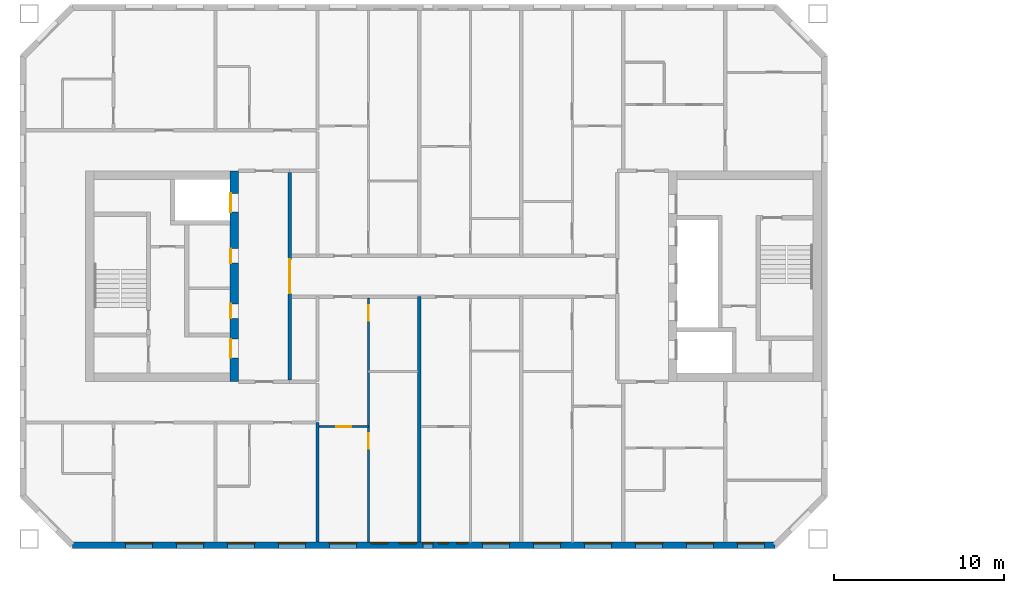
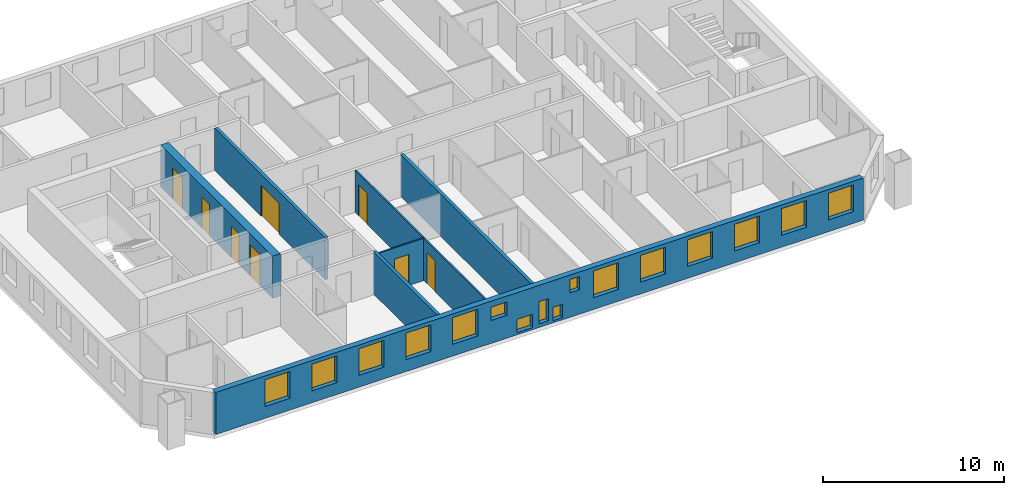
# One storey, part 3 of 15: 16 windows, 8 doors, 7 walls, 24 openings.
"""IFC4 building model written with IfcOpenShell, lengths in metres."""

from ifc_helpers import new_model, si_unit, direction, frame, frame_2d, origin, place, context, subcontext, project, spatial, rectangle, extrude, material, layer, layer_set, type_object, element, fill, save


model = new_model("IFC4")

# Units and contexts
model_context = context("Model", 3, precision=1e-05, world=origin(), true_north=direction((0.0, 1.0)))
body_context = subcontext(model_context, "Body", "Model", "MODEL_VIEW")
ifc_project = project(units=[si_unit("LENGTHUNIT", "METRE"), si_unit("AREAUNIT", "SQUARE_METRE"), si_unit("VOLUMEUNIT", "CUBIC_METRE"), si_unit("PLANEANGLEUNIT", "RADIAN"), si_unit("MASSUNIT", "GRAM", prefix="KILO")], contexts=[model_context])

# Site, building, storey
site_placement = place(None, origin())
site = spatial("IfcSite", under=ifc_project, at=site_placement, CompositionType="ELEMENT")
building_placement = place(site_placement, origin())
building = spatial("IfcBuilding", under=site, at=building_placement, Name="Tuart Gate Housing", CompositionType="ELEMENT")
storey_placement = place(building_placement, frame((0.0, 0.0, 164.0)))
storey = spatial("IfcBuildingStorey", under=building, at=storey_placement, Name="L46", CompositionType="ELEMENT", Elevation=164.0)

# Wall, openings, windows
ifc_material_1 = material(Name="Brick", Category="masonry")
ifc_layer_1 = layer(ifc_material_1, 0.360107421875)
ifc_layer_set_1 = layer_set([ifc_layer_1], Name="Brick pier and spandrel wall 360")
wall_type_1 = type_object("IfcWallType", Name="Brick pier and spandrel wall 360", PredefinedType="STANDARD", material=ifc_layer_set_1)
wall_1_placement = place(storey_placement, frame((31.57470703125, 54.179931640625, 0.0), z_axis=(0.0, 0.0, 1.0), x_axis=(1.0, 0.0, 0.0)))
wall_1 = element("IfcWall", 1, at=wall_1_placement, inside=storey, type_object=wall_type_1, Name="External wall A-S L46", PredefinedType="STANDARD", context=body_context, shape_type="SweptSolid", body=[
    extrude(rectangle(XDim=41.350830078125, YDim=0.360107421875, at=frame_2d((20.67529296875, 0.0))), origin(), (0.0, 0.0, 1.0), 2.85009765625),
])
opening_1_placement = place(wall_1_placement, frame((3.12548828125, 0.0, 0.800048828125)))
opening_1 = element("IfcOpeningElement", 2, at=opening_1_placement, cuts=wall_1, Name="Opening W1", PredefinedType="OPENING", context=body_context, shape_type="SweptSolid", body=[
    extrude(rectangle(XDim=1.60009765625, YDim=1.800048828125, at=frame_2d((0.800048828125, 0.89990234375))), frame((0.0, 0.18994140625, 0.0), z_axis=(0.0, -1.0, 0.0), x_axis=(1.0, 0.0, 0.0)), (0.0, 0.0, 1.0), 0.380126953125),
])
opening_2_placement = place(wall_1_placement, frame((6.12548828125, 0.0, 0.800048828125)))
opening_2 = element("IfcOpeningElement", 3, at=opening_2_placement, cuts=wall_1, Name="Opening W1", PredefinedType="OPENING", context=body_context, shape_type="SweptSolid", body=[
    extrude(rectangle(XDim=1.60009765625, YDim=1.800048828125, at=frame_2d((0.800048828125, 0.89990234375))), frame((0.0, 0.18994140625, 0.0), z_axis=(0.0, -1.0, 0.0), x_axis=(1.0, 0.0, 0.0)), (0.0, 0.0, 1.0), 0.380126953125),
])
opening_3_placement = place(wall_1_placement, frame((9.12548828125, 0.0, 0.800048828125)))
opening_3 = element("IfcOpeningElement", 4, at=opening_3_placement, cuts=wall_1, Name="Opening W1", PredefinedType="OPENING", context=body_context, shape_type="SweptSolid", body=[
    extrude(rectangle(XDim=1.60009765625, YDim=1.800048828125, at=frame_2d((0.800048828125, 0.89990234375))), frame((0.0, 0.18994140625, 0.0), z_axis=(0.0, -1.0, 0.0), x_axis=(1.0, 0.0, 0.0)), (0.0, 0.0, 1.0), 0.380126953125),
])
opening_4_placement = place(wall_1_placement, frame((12.12548828125, 0.0, 0.800048828125)))
opening_4 = element("IfcOpeningElement", 5, at=opening_4_placement, cuts=wall_1, Name="Opening W1", PredefinedType="OPENING", context=body_context, shape_type="SweptSolid", body=[
    extrude(rectangle(XDim=1.60009765625, YDim=1.800048828125, at=frame_2d((0.800048828125, 0.89990234375))), frame((0.0, 0.18994140625, 0.0), z_axis=(0.0, -1.0, 0.0), x_axis=(1.0, 0.0, 0.0)), (0.0, 0.0, 1.0), 0.380126953125),
])
opening_5_placement = place(wall_1_placement, frame((15.12548828125, 0.0, 0.800048828125)))
opening_5 = element("IfcOpeningElement", 6, at=opening_5_placement, cuts=wall_1, Name="Opening W1", PredefinedType="OPENING", context=body_context, shape_type="SweptSolid", body=[
    extrude(rectangle(XDim=1.60009765625, YDim=1.800048828125, at=frame_2d((0.800048828125, 0.89990234375))), frame((0.0, 0.18994140625, 0.0), z_axis=(0.0, -1.0, 0.0), x_axis=(1.0, 0.0, 0.0)), (0.0, 0.0, 1.0), 0.380126953125),
])
opening_6_placement = place(wall_1_placement, frame((17.575439453125, 0.0, 1.550048828125)))
opening_6 = element("IfcOpeningElement", 7, at=opening_6_placement, cuts=wall_1, Name="Opening W1U", PredefinedType="OPENING", context=body_context, shape_type="SweptSolid", body=[
    extrude(rectangle(XDim=1.0, YDim=0.89990234375, at=frame_2d((0.5, 0.449951171875))), frame((0.0, 0.18994140625, 0.0), z_axis=(0.0, -1.0, 0.0), x_axis=(1.0, 0.0, 0.0)), (0.0, 0.0, 1.0), 0.380126953125),
])
opening_7_placement = place(wall_1_placement, frame((20.62548828125, 0.0, 0.25)))
opening_7 = element("IfcOpeningElement", 8, at=opening_7_placement, cuts=wall_1, Name="Opening W1K", PredefinedType="OPENING", context=body_context, shape_type="SweptSolid", body=[
    extrude(rectangle(XDim=0.60009765625, YDim=1.5, at=frame_2d((0.300048828125, 0.75))), frame((0.0, 0.18994140625, 0.0), z_axis=(0.0, -1.0, 0.0), x_axis=(1.0, 0.0, 0.0)), (0.0, 0.0, 1.0), 0.380126953125),
])
opening_8_placement = place(wall_1_placement, frame((24.12548828125, 0.0, 0.800048828125)))
opening_8 = element("IfcOpeningElement", 9, at=opening_8_placement, cuts=wall_1, Name="Opening W1", PredefinedType="OPENING", context=body_context, shape_type="SweptSolid", body=[
    extrude(rectangle(XDim=1.60009765625, YDim=1.800048828125, at=frame_2d((0.800048828125, 0.89990234375))), frame((0.0, 0.18994140625, 0.0), z_axis=(0.0, -1.0, 0.0), x_axis=(1.0, 0.0, 0.0)), (0.0, 0.0, 1.0), 0.380126953125),
])
opening_9_placement = place(wall_1_placement, frame((27.12548828125, 0.0, 0.800048828125)))
opening_9 = element("IfcOpeningElement", 10, at=opening_9_placement, cuts=wall_1, Name="Opening W1", PredefinedType="OPENING", context=body_context, shape_type="SweptSolid", body=[
    extrude(rectangle(XDim=1.60009765625, YDim=1.800048828125, at=frame_2d((0.800048828125, 0.89990234375))), frame((0.0, 0.18994140625, 0.0), z_axis=(0.0, -1.0, 0.0), x_axis=(1.0, 0.0, 0.0)), (0.0, 0.0, 1.0), 0.380126953125),
])
opening_10_placement = place(wall_1_placement, frame((30.12548828125, 0.0, 0.800048828125)))
opening_10 = element("IfcOpeningElement", 11, at=opening_10_placement, cuts=wall_1, Name="Opening W1", PredefinedType="OPENING", context=body_context, shape_type="SweptSolid", body=[
    extrude(rectangle(XDim=1.60009765625, YDim=1.800048828125, at=frame_2d((0.800048828125, 0.89990234375))), frame((0.0, 0.18994140625, 0.0), z_axis=(0.0, -1.0, 0.0), x_axis=(1.0, 0.0, 0.0)), (0.0, 0.0, 1.0), 0.380126953125),
])
opening_11_placement = place(wall_1_placement, frame((33.12548828125, 0.0, 0.800048828125)))
opening_11 = element("IfcOpeningElement", 12, at=opening_11_placement, cuts=wall_1, Name="Opening W1", PredefinedType="OPENING", context=body_context, shape_type="SweptSolid", body=[
    extrude(rectangle(XDim=1.60009765625, YDim=1.800048828125, at=frame_2d((0.800048828125, 0.89990234375))), frame((0.0, 0.18994140625, 0.0), z_axis=(0.0, -1.0, 0.0), x_axis=(1.0, 0.0, 0.0)), (0.0, 0.0, 1.0), 0.380126953125),
])
opening_12_placement = place(wall_1_placement, frame((36.12548828125, 0.0, 0.800048828125)))
opening_12 = element("IfcOpeningElement", 13, at=opening_12_placement, cuts=wall_1, Name="Opening W1", PredefinedType="OPENING", context=body_context, shape_type="SweptSolid", body=[
    extrude(rectangle(XDim=1.60009765625, YDim=1.800048828125, at=frame_2d((0.800048828125, 0.89990234375))), frame((0.0, 0.18994140625, 0.0), z_axis=(0.0, -1.0, 0.0), x_axis=(1.0, 0.0, 0.0)), (0.0, 0.0, 1.0), 0.380126953125),
])
opening_13_placement = place(wall_1_placement, frame((39.12548828125, 0.0, 0.800048828125)))
opening_13 = element("IfcOpeningElement", 14, at=opening_13_placement, cuts=wall_1, Name="Opening W1", PredefinedType="OPENING", context=body_context, shape_type="SweptSolid", body=[
    extrude(rectangle(XDim=1.60009765625, YDim=1.800048828125, at=frame_2d((0.800048828125, 0.89990234375))), frame((0.0, 0.18994140625, 0.0), z_axis=(0.0, -1.0, 0.0), x_axis=(1.0, 0.0, 0.0)), (0.0, 0.0, 1.0), 0.380126953125),
])
opening_14_placement = place(wall_1_placement, frame((19.225341796875, 0.0, 0.14990234375)))
opening_14 = element("IfcOpeningElement", 15, at=opening_14_placement, cuts=wall_1, Name="Opening W1U", PredefinedType="OPENING", context=body_context, shape_type="SweptSolid", body=[
    extrude(rectangle(XDim=1.0, YDim=0.89990234375, at=frame_2d((0.5, 0.449951171875))), frame((0.0, 0.18994140625, 0.0), z_axis=(0.0, -1.0, 0.0), x_axis=(1.0, 0.0, 0.0)), (0.0, 0.0, 1.0), 0.380126953125),
])
opening_15_placement = place(wall_1_placement, frame((21.525390625, 0.0, 0.14990234375)))
opening_15 = element("IfcOpeningElement", 16, at=opening_15_placement, cuts=wall_1, Name="Opening W1W", PredefinedType="OPENING", context=body_context, shape_type="SweptSolid", body=[
    extrude(rectangle(XDim=0.60009765625, YDim=0.89990234375, at=frame_2d((0.300048828125, 0.449951171875))), frame((0.0, 0.18994140625, 0.0), z_axis=(0.0, -1.0, 0.0), x_axis=(1.0, 0.0, 0.0)), (0.0, 0.0, 1.0), 0.380126953125),
])
opening_16_placement = place(wall_1_placement, frame((22.62548828125, 0.0, 1.64990234375)))
opening_16 = element("IfcOpeningElement", 17, at=opening_16_placement, cuts=wall_1, Name="Opening W1W", PredefinedType="OPENING", context=body_context, shape_type="SweptSolid", body=[
    extrude(rectangle(XDim=0.60009765625, YDim=0.89990234375, at=frame_2d((0.300048828125, 0.449951171875))), frame((0.0, 0.18994140625, 0.0), z_axis=(0.0, -1.0, 0.0), x_axis=(1.0, 0.0, 0.0)), (0.0, 0.0, 1.0), 0.380126953125),
])
ifc_material_2 = material(Name="Aluminium frame with clear glass", Category="aluminium")
window_type_1 = type_object("IfcWindowType", Name="Punched window 1000 x 900", PartitioningType="SINGLE_PANEL", PredefinedType="WINDOW", material=ifc_material_2)
window_1_placement = place(opening_6_placement, origin())
window_1 = element("IfcWindow", 18, at=window_1_placement, inside=storey, type_object=window_type_1, Name="Window W1U", OverallHeight=0.89990234375, OverallWidth=1.0, PartitioningType="SINGLE_PANEL", PredefinedType="WINDOW", context=body_context, shape_type="SweptSolid", body=[
    extrude(rectangle(XDim=1.0, YDim=0.89990234375, at=frame_2d((0.5, 0.449951171875))), frame((0.0, 0.150146484375, 0.0), z_axis=(0.0, -1.0, 0.0), x_axis=(1.0, 0.0, 0.0)), (0.0, 0.0, 1.0), 0.06005859375),
])
fill(opening_6, window_1)
window_2_placement = place(opening_14_placement, origin())
window_2 = element("IfcWindow", 19, at=window_2_placement, inside=storey, type_object=window_type_1, Name="Window W1U", OverallHeight=0.89990234375, OverallWidth=1.0, PartitioningType="SINGLE_PANEL", PredefinedType="WINDOW", context=body_context, shape_type="SweptSolid", body=[
    extrude(rectangle(XDim=1.0, YDim=0.89990234375, at=frame_2d((0.5, 0.449951171875))), frame((0.0, 0.150146484375, 0.0), z_axis=(0.0, -1.0, 0.0), x_axis=(1.0, 0.0, 0.0)), (0.0, 0.0, 1.0), 0.06005859375),
])
fill(opening_14, window_2)
ifc_material_3 = material(Name="Aluminium frame with clear glass", Category="aluminium")
window_type_2 = type_object("IfcWindowType", Name="Punched window 1600 x 1800", PartitioningType="SINGLE_PANEL", PredefinedType="WINDOW", material=ifc_material_3)
window_3_placement = place(opening_1_placement, origin())
window_3 = element("IfcWindow", 20, at=window_3_placement, inside=storey, type_object=window_type_2, Name="Window W1", OverallHeight=1.800048828125, OverallWidth=1.60009765625, PartitioningType="SINGLE_PANEL", PredefinedType="WINDOW", context=body_context, shape_type="SweptSolid", body=[
    extrude(rectangle(XDim=1.60009765625, YDim=1.800048828125, at=frame_2d((0.800048828125, 0.89990234375))), frame((0.0, 0.150146484375, 0.0), z_axis=(0.0, -1.0, 0.0), x_axis=(1.0, 0.0, 0.0)), (0.0, 0.0, 1.0), 0.06005859375),
])
fill(opening_1, window_3)
window_4_placement = place(opening_2_placement, origin())
window_4 = element("IfcWindow", 21, at=window_4_placement, inside=storey, type_object=window_type_2, Name="Window W1", OverallHeight=1.800048828125, OverallWidth=1.60009765625, PartitioningType="SINGLE_PANEL", PredefinedType="WINDOW", context=body_context, shape_type="SweptSolid", body=[
    extrude(rectangle(XDim=1.60009765625, YDim=1.800048828125, at=frame_2d((0.800048828125, 0.89990234375))), frame((0.0, 0.150146484375, 0.0), z_axis=(0.0, -1.0, 0.0), x_axis=(1.0, 0.0, 0.0)), (0.0, 0.0, 1.0), 0.06005859375),
])
fill(opening_2, window_4)
window_5_placement = place(opening_3_placement, origin())
window_5 = element("IfcWindow", 22, at=window_5_placement, inside=storey, type_object=window_type_2, Name="Window W1", OverallHeight=1.800048828125, OverallWidth=1.60009765625, PartitioningType="SINGLE_PANEL", PredefinedType="WINDOW", context=body_context, shape_type="SweptSolid", body=[
    extrude(rectangle(XDim=1.60009765625, YDim=1.800048828125, at=frame_2d((0.800048828125, 0.89990234375))), frame((0.0, 0.150146484375, 0.0), z_axis=(0.0, -1.0, 0.0), x_axis=(1.0, 0.0, 0.0)), (0.0, 0.0, 1.0), 0.06005859375),
])
fill(opening_3, window_5)
window_6_placement = place(opening_4_placement, origin())
window_6 = element("IfcWindow", 23, at=window_6_placement, inside=storey, type_object=window_type_2, Name="Window W1", OverallHeight=1.800048828125, OverallWidth=1.60009765625, PartitioningType="SINGLE_PANEL", PredefinedType="WINDOW", context=body_context, shape_type="SweptSolid", body=[
    extrude(rectangle(XDim=1.60009765625, YDim=1.800048828125, at=frame_2d((0.800048828125, 0.89990234375))), frame((0.0, 0.150146484375, 0.0), z_axis=(0.0, -1.0, 0.0), x_axis=(1.0, 0.0, 0.0)), (0.0, 0.0, 1.0), 0.06005859375),
])
fill(opening_4, window_6)
window_7_placement = place(opening_5_placement, origin())
window_7 = element("IfcWindow", 24, at=window_7_placement, inside=storey, type_object=window_type_2, Name="Window W1", OverallHeight=1.800048828125, OverallWidth=1.60009765625, PartitioningType="SINGLE_PANEL", PredefinedType="WINDOW", context=body_context, shape_type="SweptSolid", body=[
    extrude(rectangle(XDim=1.60009765625, YDim=1.800048828125, at=frame_2d((0.800048828125, 0.89990234375))), frame((0.0, 0.150146484375, 0.0), z_axis=(0.0, -1.0, 0.0), x_axis=(1.0, 0.0, 0.0)), (0.0, 0.0, 1.0), 0.06005859375),
])
fill(opening_5, window_7)
window_8_placement = place(opening_8_placement, origin())
window_8 = element("IfcWindow", 25, at=window_8_placement, inside=storey, type_object=window_type_2, Name="Window W1", OverallHeight=1.800048828125, OverallWidth=1.60009765625, PartitioningType="SINGLE_PANEL", PredefinedType="WINDOW", context=body_context, shape_type="SweptSolid", body=[
    extrude(rectangle(XDim=1.60009765625, YDim=1.800048828125, at=frame_2d((0.800048828125, 0.89990234375))), frame((0.0, 0.150146484375, 0.0), z_axis=(0.0, -1.0, 0.0), x_axis=(1.0, 0.0, 0.0)), (0.0, 0.0, 1.0), 0.06005859375),
])
fill(opening_8, window_8)
window_9_placement = place(opening_9_placement, origin())
window_9 = element("IfcWindow", 26, at=window_9_placement, inside=storey, type_object=window_type_2, Name="Window W1", OverallHeight=1.800048828125, OverallWidth=1.60009765625, PartitioningType="SINGLE_PANEL", PredefinedType="WINDOW", context=body_context, shape_type="SweptSolid", body=[
    extrude(rectangle(XDim=1.60009765625, YDim=1.800048828125, at=frame_2d((0.800048828125, 0.89990234375))), frame((0.0, 0.150146484375, 0.0), z_axis=(0.0, -1.0, 0.0), x_axis=(1.0, 0.0, 0.0)), (0.0, 0.0, 1.0), 0.06005859375),
])
fill(opening_9, window_9)
window_10_placement = place(opening_10_placement, origin())
window_10 = element("IfcWindow", 27, at=window_10_placement, inside=storey, type_object=window_type_2, Name="Window W1", OverallHeight=1.800048828125, OverallWidth=1.60009765625, PartitioningType="SINGLE_PANEL", PredefinedType="WINDOW", context=body_context, shape_type="SweptSolid", body=[
    extrude(rectangle(XDim=1.60009765625, YDim=1.800048828125, at=frame_2d((0.800048828125, 0.89990234375))), frame((0.0, 0.150146484375, 0.0), z_axis=(0.0, -1.0, 0.0), x_axis=(1.0, 0.0, 0.0)), (0.0, 0.0, 1.0), 0.06005859375),
])
fill(opening_10, window_10)
window_11_placement = place(opening_11_placement, origin())
window_11 = element("IfcWindow", 28, at=window_11_placement, inside=storey, type_object=window_type_2, Name="Window W1", OverallHeight=1.800048828125, OverallWidth=1.60009765625, PartitioningType="SINGLE_PANEL", PredefinedType="WINDOW", context=body_context, shape_type="SweptSolid", body=[
    extrude(rectangle(XDim=1.60009765625, YDim=1.800048828125, at=frame_2d((0.800048828125, 0.89990234375))), frame((0.0, 0.150146484375, 0.0), z_axis=(0.0, -1.0, 0.0), x_axis=(1.0, 0.0, 0.0)), (0.0, 0.0, 1.0), 0.06005859375),
])
fill(opening_11, window_11)
window_12_placement = place(opening_12_placement, origin())
window_12 = element("IfcWindow", 29, at=window_12_placement, inside=storey, type_object=window_type_2, Name="Window W1", OverallHeight=1.800048828125, OverallWidth=1.60009765625, PartitioningType="SINGLE_PANEL", PredefinedType="WINDOW", context=body_context, shape_type="SweptSolid", body=[
    extrude(rectangle(XDim=1.60009765625, YDim=1.800048828125, at=frame_2d((0.800048828125, 0.89990234375))), frame((0.0, 0.150146484375, 0.0), z_axis=(0.0, -1.0, 0.0), x_axis=(1.0, 0.0, 0.0)), (0.0, 0.0, 1.0), 0.06005859375),
])
fill(opening_12, window_12)
window_13_placement = place(opening_13_placement, origin())
window_13 = element("IfcWindow", 30, at=window_13_placement, inside=storey, type_object=window_type_2, Name="Window W1", OverallHeight=1.800048828125, OverallWidth=1.60009765625, PartitioningType="SINGLE_PANEL", PredefinedType="WINDOW", context=body_context, shape_type="SweptSolid", body=[
    extrude(rectangle(XDim=1.60009765625, YDim=1.800048828125, at=frame_2d((0.800048828125, 0.89990234375))), frame((0.0, 0.150146484375, 0.0), z_axis=(0.0, -1.0, 0.0), x_axis=(1.0, 0.0, 0.0)), (0.0, 0.0, 1.0), 0.06005859375),
])
fill(opening_13, window_13)
ifc_material_4 = material(Name="Aluminium frame with clear glass", Category="aluminium")
window_type_3 = type_object("IfcWindowType", Name="Punched window 600 x 1500", PartitioningType="SINGLE_PANEL", PredefinedType="WINDOW", material=ifc_material_4)
window_14_placement = place(opening_7_placement, origin())
window_14 = element("IfcWindow", 31, at=window_14_placement, inside=storey, type_object=window_type_3, Name="Window W1K", OverallHeight=1.5, OverallWidth=0.60009765625, PartitioningType="SINGLE_PANEL", PredefinedType="WINDOW", context=body_context, shape_type="SweptSolid", body=[
    extrude(rectangle(XDim=0.60009765625, YDim=1.5, at=frame_2d((0.300048828125, 0.75))), frame((0.0, 0.150146484375, 0.0), z_axis=(0.0, -1.0, 0.0), x_axis=(1.0, 0.0, 0.0)), (0.0, 0.0, 1.0), 0.06005859375),
])
fill(opening_7, window_14)
ifc_material_5 = material(Name="Aluminium frame with clear glass", Category="aluminium")
window_type_4 = type_object("IfcWindowType", Name="Punched window 600 x 900", PartitioningType="SINGLE_PANEL", PredefinedType="WINDOW", material=ifc_material_5)
window_15_placement = place(opening_15_placement, origin())
window_15 = element("IfcWindow", 32, at=window_15_placement, inside=storey, type_object=window_type_4, Name="Window W1W", OverallHeight=0.89990234375, OverallWidth=0.60009765625, PartitioningType="SINGLE_PANEL", PredefinedType="WINDOW", context=body_context, shape_type="SweptSolid", body=[
    extrude(rectangle(XDim=0.60009765625, YDim=0.89990234375, at=frame_2d((0.300048828125, 0.449951171875))), frame((0.0, 0.150146484375, 0.0), z_axis=(0.0, -1.0, 0.0), x_axis=(1.0, 0.0, 0.0)), (0.0, 0.0, 1.0), 0.06005859375),
])
fill(opening_15, window_15)
window_16_placement = place(opening_16_placement, origin())
window_16 = element("IfcWindow", 33, at=window_16_placement, inside=storey, type_object=window_type_4, Name="Window W1W", OverallHeight=0.89990234375, OverallWidth=0.60009765625, PartitioningType="SINGLE_PANEL", PredefinedType="WINDOW", context=body_context, shape_type="SweptSolid", body=[
    extrude(rectangle(XDim=0.60009765625, YDim=0.89990234375, at=frame_2d((0.300048828125, 0.449951171875))), frame((0.0, 0.150146484375, 0.0), z_axis=(0.0, -1.0, 0.0), x_axis=(1.0, 0.0, 0.0)), (0.0, 0.0, 1.0), 0.06005859375),
])
fill(opening_16, window_16)

# Wall, openings, doors
ifc_material_6 = material(Name="Concrete C40", Category="concrete")
ifc_layer_2 = layer(ifc_material_6, 0.5)
ifc_layer_set_2 = layer_set([ifc_layer_2], Name="Core wall 500 C40")
wall_type_2 = type_object("IfcWallType", Name="Core wall 500 C40", PredefinedType="SHEAR", material=ifc_layer_set_2)
wall_2_placement = place(storey_placement, frame((41.110107421875, 76.199951171875, 0.0), z_axis=(0.0, 0.0, 1.0), x_axis=(0.0, -1.0, 0.0)))
wall_2 = element("IfcWall", 34, at=wall_2_placement, inside=storey, type_object=wall_type_2, Name="Core wall AK front", PredefinedType="SHEAR", context=body_context, shape_type="SweptSolid", body=[
    extrude(rectangle(XDim=12.39990234375, YDim=0.5, at=frame_2d((6.199951171875, 0.0))), origin(), (0.0, 0.0, 1.0), 2.85009765625),
])
opening_17_placement = place(wall_2_placement, frame((1.324951171875, 0.0, 0.0)))
opening_17 = element("IfcOpeningElement", 35, at=opening_17_placement, cuts=wall_2, Name="Opening LD-FA2", PredefinedType="OPENING", context=body_context, shape_type="SweptSolid", body=[
    extrude(rectangle(XDim=1.10009765625, YDim=2.10009765625, at=frame_2d((0.550048828125, 1.050048828125))), frame((0.0, 0.260009765625, 0.0), z_axis=(0.0, -1.0, 0.0), x_axis=(1.0, 0.0, 0.0)), (0.0, 0.0, 1.0), 0.52001953125),
])
opening_18_placement = place(wall_2_placement, frame((4.574951171875, 0.0, 0.0)))
opening_18 = element("IfcOpeningElement", 36, at=opening_18_placement, cuts=wall_2, Name="Opening D1650", PredefinedType="OPENING", context=body_context, shape_type="SweptSolid", body=[
    extrude(rectangle(XDim=0.85009765625, YDim=2.10009765625, at=frame_2d((0.425048828125, 1.050048828125))), frame((0.0, 0.260009765625, 0.0), z_axis=(0.0, -1.0, 0.0), x_axis=(1.0, 0.0, 0.0)), (0.0, 0.0, 1.0), 0.52001953125),
])
opening_19_placement = place(wall_2_placement, frame((7.824951171875, 0.0, 0.0)))
opening_19 = element("IfcOpeningElement", 37, at=opening_19_placement, cuts=wall_2, Name="Opening D1651", PredefinedType="OPENING", context=body_context, shape_type="SweptSolid", body=[
    extrude(rectangle(XDim=0.85009765625, YDim=2.10009765625, at=frame_2d((0.425048828125, 1.050048828125))), frame((0.0, 0.260009765625, 0.0), z_axis=(0.0, -1.0, 0.0), x_axis=(1.0, 0.0, 0.0)), (0.0, 0.0, 1.0), 0.52001953125),
])
opening_20_placement = place(wall_2_placement, frame((9.89990234375, 0.0, 0.0)))
opening_20 = element("IfcOpeningElement", 38, at=opening_20_placement, cuts=wall_2, Name="Opening D1649", PredefinedType="OPENING", context=body_context, shape_type="SweptSolid", body=[
    extrude(rectangle(XDim=1.10009765625, YDim=2.10009765625, at=frame_2d((0.550048828125, 1.050048828125))), frame((0.0, 0.260009765625, 0.0), z_axis=(0.0, -1.0, 0.0), x_axis=(1.0, 0.0, 0.0)), (0.0, 0.0, 1.0), 0.52001953125),
])
ifc_material_7 = material(Name="Stainless steel", Category="steel")
door_type_1 = type_object("IfcDoorType", Name="Landing door 1100 x 2100", OperationType="DOUBLE_DOOR_SLIDING", PredefinedType="DOOR", material=ifc_material_7)
door_1_placement = place(opening_17_placement, origin())
door_1 = element("IfcDoor", 39, at=door_1_placement, inside=storey, type_object=door_type_1, Name="Lift landing door FA2", OperationType="DOUBLE_DOOR_SLIDING", OverallHeight=2.10009765625, OverallWidth=1.10009765625, PredefinedType="DOOR", context=body_context, shape_type="SweptSolid", body=[
    extrude(rectangle(XDim=1.10009765625, YDim=2.10009765625, at=frame_2d((0.550048828125, 1.050048828125))), frame((0.0, -0.18505859375, 0.0), z_axis=(0.0, -1.0, 0.0), x_axis=(1.0, 0.0, 0.0)), (0.0, 0.0, 1.0), 0.050048828125),
])
fill(opening_17, door_1)
ifc_material_8 = material(Name="Steel fire door", Category="steel")
door_type_2 = type_object("IfcDoorType", Name="Lobby door 1100 x 2100 RH", OperationType="SINGLE_SWING_RIGHT", PredefinedType="DOOR", material=ifc_material_8)
door_2_placement = place(opening_20_placement, frame((1.10009765625, 0.0, 0.0), z_axis=(0.0, 0.0, 1.0), x_axis=(-1.0, 0.0, 0.0)))
door_2 = element("IfcDoor", 40, at=door_2_placement, inside=storey, type_object=door_type_2, Name="Lobby entry door AK.EN", OperationType="SINGLE_SWING_RIGHT", OverallHeight=2.10009765625, OverallWidth=1.10009765625, PredefinedType="DOOR", context=body_context, shape_type="SweptSolid", body=[
    extrude(rectangle(XDim=1.10009765625, YDim=2.10009765625, at=frame_2d((0.550048828125, 1.050048828125))), frame((0.0, 0.235107421875, 0.0), z_axis=(0.0, -1.0, 0.0), x_axis=(1.0, 0.0, 0.0)), (0.0, 0.0, 1.0), 0.050048828125),
])
fill(opening_20, door_2)
ifc_material_9 = material(Name="Steel fire door", Category="steel")
door_type_3 = type_object("IfcDoorType", Name="Service door 850 x 2100 RH", OperationType="SINGLE_SWING_RIGHT", PredefinedType="DOOR", material=ifc_material_9)
door_3_placement = place(opening_18_placement, frame((0.85009765625, 0.0, 0.0), z_axis=(0.0, 0.0, 1.0), x_axis=(-1.0, 0.0, 0.0)))
door_3 = element("IfcDoor", 41, at=door_3_placement, inside=storey, type_object=door_type_3, Name="Service room door AK.FR1", OperationType="SINGLE_SWING_RIGHT", OverallHeight=2.10009765625, OverallWidth=0.85009765625, PredefinedType="DOOR", context=body_context, shape_type="SweptSolid", body=[
    extrude(rectangle(XDim=0.85009765625, YDim=2.10009765625, at=frame_2d((0.425048828125, 1.050048828125))), frame((0.0, 0.235107421875, 0.0), z_axis=(0.0, -1.0, 0.0), x_axis=(1.0, 0.0, 0.0)), (0.0, 0.0, 1.0), 0.050048828125),
])
fill(opening_18, door_3)
door_4_placement = place(opening_19_placement, frame((0.85009765625, 0.0, 0.0), z_axis=(0.0, 0.0, 1.0), x_axis=(-1.0, 0.0, 0.0)))
door_4 = element("IfcDoor", 42, at=door_4_placement, inside=storey, type_object=door_type_3, Name="Service room door AK.FR2", OperationType="SINGLE_SWING_RIGHT", OverallHeight=2.10009765625, OverallWidth=0.85009765625, PredefinedType="DOOR", context=body_context, shape_type="SweptSolid", body=[
    extrude(rectangle(XDim=0.85009765625, YDim=2.10009765625, at=frame_2d((0.425048828125, 1.050048828125))), frame((0.0, 0.235107421875, 0.0), z_axis=(0.0, -1.0, 0.0), x_axis=(1.0, 0.0, 0.0)), (0.0, 0.0, 1.0), 0.050048828125),
])
fill(opening_19, door_4)

# Wall, opening, door
ifc_material_10 = material(Name="Plasterboard partition")
ifc_layer_3 = layer(ifc_material_10, 0.199951171875)
ifc_layer_set_3 = layer_set([ifc_layer_3], Name="Lobby wall 200")
wall_type_3 = type_object("IfcWallType", Name="Lobby wall 200", PredefinedType="PARTITIONING", material=ifc_layer_set_3)
wall_3_placement = place(storey_placement, frame((44.360107421875, 63.89990234375, 0.0), z_axis=(0.0, 0.0, 1.0), x_axis=(0.0, 1.0, 0.0)))
wall_3 = element("IfcWall", 43, at=wall_3_placement, inside=storey, type_object=wall_type_3, Name="Lift lobby wall AK", PredefinedType="PARTITIONING", context=body_context, shape_type="SweptSolid", body=[
    extrude(rectangle(XDim=12.2001953125, YDim=0.199951171875, at=frame_2d((6.10009765625, 0.0))), origin(), (0.0, 0.0, 1.0), 2.85009765625),
])
opening_21_placement = place(wall_3_placement, frame((5.10009765625, 0.0, 0.0)))
opening_21 = element("IfcOpeningElement", 44, at=opening_21_placement, cuts=wall_3, Name="Opening D1652", PredefinedType="OPENING", context=body_context, shape_type="SweptSolid", body=[
    extrude(rectangle(XDim=2.0, YDim=2.10009765625, at=frame_2d((1.0, 1.050048828125))), frame((0.0, 0.10986328125, 0.0), z_axis=(0.0, -1.0, 0.0), x_axis=(1.0, 0.0, 0.0)), (0.0, 0.0, 1.0), 0.219970703125),
])
ifc_material_11 = material(Name="Steel fire door", Category="steel")
door_type_4 = type_object("IfcDoorType", Name="Smoke door 2000 x 2100", OperationType="DOUBLE_DOOR_SINGLE_SWING", PredefinedType="DOOR", material=ifc_material_11)
door_5_placement = place(opening_21_placement, origin())
door_5 = element("IfcDoor", 45, at=door_5_placement, inside=storey, type_object=door_type_4, Name="Lift lobby smoke door AK", OperationType="DOUBLE_DOOR_SINGLE_SWING", OverallHeight=2.10009765625, OverallWidth=2.0, PredefinedType="DOOR", context=body_context, shape_type="SweptSolid", body=[
    extrude(rectangle(XDim=2.0, YDim=2.10009765625, at=frame_2d((1.0, 1.050048828125))), frame((0.0, 0.02490234375, 0.0), z_axis=(0.0, -1.0, 0.0), x_axis=(1.0, 0.0, 0.0)), (0.0, 0.0, 1.0), 0.050048828125),
])
fill(opening_21, door_5)

ifc_material_12 = material(Name="Gypsum board on steel studs", Category="steel")
ifc_layer_4 = layer(ifc_material_12, 0.10009765625)
ifc_layer_set_4 = layer_set([ifc_layer_4], Name="Partition 100")
wall_type_4 = type_object("IfcWallType", Name="Partition 100", PredefinedType="PARTITIONING", material=ifc_layer_set_4)
wall_4_placement = place(storey_placement, frame((46.10009765625, 61.159912109375, 0.0), z_axis=(0.0, 0.0, 1.0), x_axis=(1.0, 0.0, 0.0)))
wall_4 = element("IfcWall", 46, at=wall_4_placement, inside=storey, type_object=wall_type_4, Name="Partition 100", PredefinedType="PARTITIONING", context=body_context, shape_type="SweptSolid", body=[
    extrude(rectangle(XDim=2.89990234375, YDim=0.10009765625, at=frame_2d((1.449951171875, 0.0))), origin(), (0.0, 0.0, 1.0), 2.85009765625),
])
opening_22_placement = place(wall_4_placement, frame((1.0, 0.0, 0.0)))
opening_22 = element("IfcOpeningElement", 47, at=opening_22_placement, cuts=wall_4, Name="Opening D1672", PredefinedType="OPENING", context=body_context, shape_type="SweptSolid", body=[
    extrude(rectangle(XDim=0.89990234375, YDim=2.10009765625, at=frame_2d((0.449951171875, 1.050048828125))), frame((0.0, 0.06005859375, 0.0), z_axis=(0.0, -1.0, 0.0), x_axis=(1.0, 0.0, 0.0)), (0.0, 0.0, 1.0), 0.1201171875),
])
ifc_material_13 = material(Name="Timber door leaf in steel frame", Category="steel")
door_type_5 = type_object("IfcDoorType", Name="Internal door 900 RH", OperationType="SINGLE_SWING_RIGHT", PredefinedType="DOOR", material=ifc_material_13)
door_6_placement = place(opening_22_placement, origin())
door_6 = element("IfcDoor", 48, at=door_6_placement, inside=storey, type_object=door_type_5, Name="Internal door", OperationType="SINGLE_SWING_RIGHT", OverallHeight=2.10009765625, OverallWidth=0.89990234375, PredefinedType="DOOR", context=body_context, shape_type="SweptSolid", body=[
    extrude(rectangle(XDim=0.89990234375, YDim=2.10009765625, at=frame_2d((0.449951171875, 1.050048828125))), frame((0.0, 0.02490234375, 0.0), z_axis=(0.0, -1.0, 0.0), x_axis=(1.0, 0.0, 0.0)), (0.0, 0.0, 1.0), 0.050048828125),
])
fill(opening_22, door_6)

# Wall, openings, doors
wall_5_placement = place(storey_placement, frame((49.0, 54.360107421875, 0.0), z_axis=(0.0, 0.0, 1.0), x_axis=(0.0, 1.0, 0.0)))
wall_5 = element("IfcWall", 49, at=wall_5_placement, inside=storey, type_object=wall_type_4, Name="Partition 100", PredefinedType="PARTITIONING", context=body_context, shape_type="SweptSolid", body=[
    extrude(rectangle(XDim=14.33984375, YDim=0.10009765625, at=frame_2d((7.169921875, 0.0))), origin(), (0.0, 0.0, 1.0), 2.85009765625),
])
opening_23_placement = place(wall_5_placement, frame((5.5, 0.0, 0.0)))
opening_23 = element("IfcOpeningElement", 50, at=opening_23_placement, cuts=wall_5, Name="Opening D1665", PredefinedType="OPENING", context=body_context, shape_type="SweptSolid", body=[
    extrude(rectangle(XDim=0.89990234375, YDim=2.10009765625, at=frame_2d((0.449951171875, 1.050048828125))), frame((0.0, 0.06005859375, 0.0), z_axis=(0.0, -1.0, 0.0), x_axis=(1.0, 0.0, 0.0)), (0.0, 0.0, 1.0), 0.1201171875),
])
opening_24_placement = place(wall_5_placement, frame((13.0400390625, 0.0, 0.0)))
opening_24 = element("IfcOpeningElement", 51, at=opening_24_placement, cuts=wall_5, Name="Opening D1664", PredefinedType="OPENING", context=body_context, shape_type="SweptSolid", body=[
    extrude(rectangle(XDim=0.89990234375, YDim=2.10009765625, at=frame_2d((0.449951171875, 1.050048828125))), frame((0.0, 0.06005859375, 0.0), z_axis=(0.0, -1.0, 0.0), x_axis=(1.0, 0.0, 0.0)), (0.0, 0.0, 1.0), 0.1201171875),
])
ifc_material_14 = material(Name="Timber door leaf in steel frame", Category="steel")
door_type_6 = type_object("IfcDoorType", Name="Bathroom door 900", OperationType="SINGLE_SWING_LEFT", PredefinedType="DOOR", material=ifc_material_14)
door_7_placement = place(opening_24_placement, frame((0.89990234375, 0.0, 0.0), z_axis=(0.0, 0.0, 1.0), x_axis=(-1.0, 0.0, 0.0)))
door_7 = element("IfcDoor", 52, at=door_7_placement, inside=storey, type_object=door_type_6, Name="Bathroom door", OperationType="SINGLE_SWING_LEFT", OverallHeight=2.10009765625, OverallWidth=0.89990234375, PredefinedType="DOOR", context=body_context, shape_type="SweptSolid", body=[
    extrude(rectangle(XDim=0.89990234375, YDim=2.10009765625, at=frame_2d((0.449951171875, 1.050048828125))), frame((0.0, 0.025146484375, 0.0), z_axis=(0.0, -1.0, 0.0), x_axis=(1.0, 0.0, 0.0)), (0.0, 0.0, 1.0), 0.050048828125),
])
fill(opening_24, door_7)
ifc_material_15 = material(Name="Timber door leaf in steel frame", Category="steel")
door_type_7 = type_object("IfcDoorType", Name="Internal door 900", OperationType="SINGLE_SWING_LEFT", PredefinedType="DOOR", material=ifc_material_15)
door_8_placement = place(opening_23_placement, frame((0.89990234375, 0.0, 0.0), z_axis=(0.0, 0.0, 1.0), x_axis=(-1.0, 0.0, 0.0)))
door_8 = element("IfcDoor", 53, at=door_8_placement, inside=storey, type_object=door_type_7, Name="Internal door", OperationType="SINGLE_SWING_LEFT", OverallHeight=2.10009765625, OverallWidth=0.89990234375, PredefinedType="DOOR", context=body_context, shape_type="SweptSolid", body=[
    extrude(rectangle(XDim=0.89990234375, YDim=2.10009765625, at=frame_2d((0.449951171875, 1.050048828125))), frame((0.0, 0.025146484375, 0.0), z_axis=(0.0, -1.0, 0.0), x_axis=(1.0, 0.0, 0.0)), (0.0, 0.0, 1.0), 0.050048828125),
])
fill(opening_23, door_8)

# Walls
ifc_material_16 = material(Name="Concrete C40", Category="concrete")
ifc_layer_5 = layer(ifc_material_16, 0.199951171875)
ifc_layer_set_5 = layer_set([ifc_layer_5], Name="Party wall concrete C40 200")
wall_type_5 = type_object("IfcWallType", Name="Party wall concrete C40 200", PredefinedType="SOLIDWALL", material=ifc_layer_set_5)
wall_6_placement = place(storey_placement, frame((46.0, 54.360107421875, 0.0), z_axis=(0.0, 0.0, 1.0), x_axis=(0.0, 1.0, 0.0)))
element("IfcWall", 54, at=wall_6_placement, inside=storey, type_object=wall_type_5, Name="Party wall concrete C40 200", PredefinedType="SOLIDWALL", context=body_context, shape_type="SweptSolid", body=[
    extrude(rectangle(XDim=7.039794921875, YDim=0.199951171875, at=frame_2d((3.52001953125, 0.0))), origin(), (0.0, 0.0, 1.0), 2.85009765625),
])
wall_7_placement = place(storey_placement, frame((52.0, 54.360107421875, 0.0), z_axis=(0.0, 0.0, 1.0), x_axis=(0.0, 1.0, 0.0)))
element("IfcWall", 55, at=wall_7_placement, inside=storey, type_object=wall_type_5, Name="Party wall concrete C40 200", PredefinedType="SOLIDWALL", context=body_context, shape_type="SweptSolid", body=[
    extrude(rectangle(XDim=14.43994140625, YDim=0.199951171875, at=frame_2d((7.219970703125, 0.0))), origin(), (0.0, 0.0, 1.0), 2.85009765625),
])

save(model, "model.ifc")
